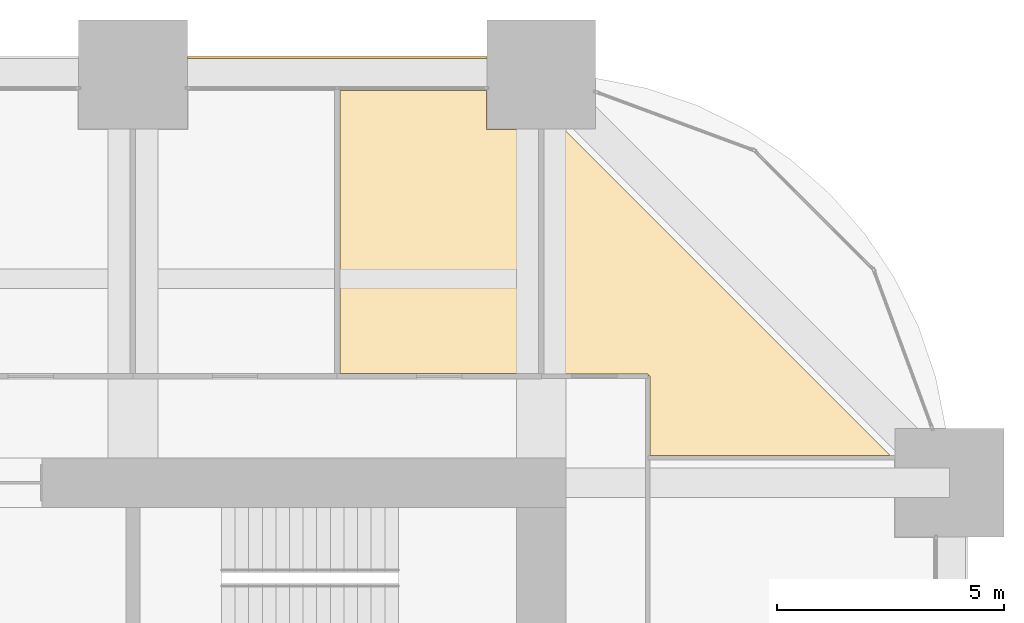
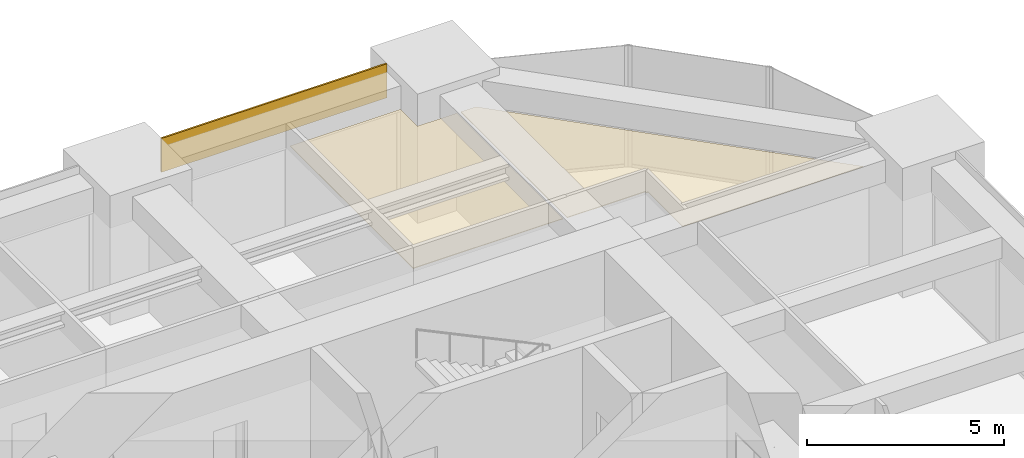
# One storey, part 34 of 34: 3 coverings.
"""IFC4 building model written with IfcOpenShell, lengths in metres."""

import ifcopenshell
import ifcopenshell.guid

model = None  # the IFC model being written
_history = None  # IfcOwnerHistory: only IFC2X3 demands one
_inside = {}  # id of a spatial element -> (the spatial element, [elements in it])
_under = {}  # id of a project, library or spatial element -> (it, [spatial elements below it])
_declared = {}  # id of a project -> (the project, [libraries it declares])
_typed = {}  # id of a type object -> (the type object, [elements of that type])
_made_of = {}  # id of a material, layer set ... -> (it, [elements and type objects made of it])


def new_model(schema):
    """Start an empty IFC model of exactly this schema.

    Asked for "IFC4X3", IfcOpenShell would pick the latest addendum, in which some entities
    have other attributes; the version numbers below select the first issue.
    IFC2X3 requires an IfcOwnerHistory on every rooted entity: one is made here for all.
    """
    global model, _history
    if schema == "IFC4X3":
        model = ifcopenshell.file(schema_version=(4, 3, 0, 0))
    else:
        model = ifcopenshell.file(schema=schema)
    _inside.clear()
    _under.clear()
    _declared.clear()
    _typed.clear()
    _made_of.clear()
    _history = None
    if model.schema == "IFC2X3":
        org = make("IfcOrganization", Name="unknown")
        user = make(
            "IfcPersonAndOrganization",
            ThePerson=make("IfcPerson", FamilyName="unknown"),
            TheOrganization=org,
        )
        app = make(
            "IfcApplication",
            ApplicationDeveloper=org,
            Version="unknown",
            ApplicationFullName="unknown",
            ApplicationIdentifier="unknown",
        )
        _history = make(
            "IfcOwnerHistory",
            OwningUser=user,
            OwningApplication=app,
            ChangeAction="ADDED",
            CreationDate=0,
        )
    return model


def make(cls, **values):
    """One entity of the class cls with the attributes given. An attribute that is None is left unset."""
    return model.create_entity(
        cls, **{name: value for name, value in values.items() if value is not None}
    )


def rooted(cls, **values):
    """An entity with a GlobalId (a new one), such as an element, a storey or a relation."""
    return make(cls, GlobalId=ifcopenshell.guid.new(), OwnerHistory=_history, **values)


def si_unit(unit_type, name, prefix=None):
    """IfcSIUnit, for example si_unit("LENGTHUNIT", "METRE", prefix="MILLI")."""
    return make("IfcSIUnit", UnitType=unit_type, Prefix=prefix, Name=name)


def assignment(units):
    """IfcUnitAssignment: the units of a project."""
    return None if units is None else make("IfcUnitAssignment", Units=units)


def point(xyz):
    """IfcCartesianPoint."""
    return None if xyz is None else make("IfcCartesianPoint", Coordinates=xyz)


def direction(xyz):
    """IfcDirection."""
    return None if xyz is None else make("IfcDirection", DirectionRatios=xyz)


def frame(location, z_axis=None, x_axis=None):
    """IfcAxis2Placement3D, a coordinate frame: its origin and axes. An axis left out is left unset."""
    return make(
        "IfcAxis2Placement3D",
        Location=point(location),
        Axis=direction(z_axis),
        RefDirection=direction(x_axis),
    )


def frame_2d(location, x_axis=None):
    """IfcAxis2Placement2D, a coordinate frame in the plane: its origin and x axis."""
    return make(
        "IfcAxis2Placement2D", Location=point(location), RefDirection=direction(x_axis)
    )


def origin():
    """The frame at (0, 0, 0) with its axes left unset."""
    return frame((0.0, 0.0, 0.0))


def place(relative_to, where):
    """IfcLocalPlacement: puts the frame where relative to a parent placement (None: the world)."""
    return make(
        "IfcLocalPlacement", PlacementRelTo=relative_to, RelativePlacement=where
    )


def context(
    kind, dimensions, precision=None, world=None, true_north=None, identifier=None
):
    """IfcGeometricRepresentationContext, for example the 3D "Model" context."""
    return make(
        "IfcGeometricRepresentationContext",
        ContextIdentifier=identifier,
        ContextType=kind,
        CoordinateSpaceDimension=dimensions,
        Precision=precision,
        WorldCoordinateSystem=world,
        TrueNorth=true_north,
    )


def subcontext(parent, identifier, kind, view, scale=None):
    """IfcGeometricRepresentationSubContext, for example "Body" below "Model"."""
    return make(
        "IfcGeometricRepresentationSubContext",
        ContextIdentifier=identifier,
        ContextType=kind,
        ParentContext=parent,
        TargetScale=scale,
        TargetView=view,
    )


def project(units=None, contexts=None):
    """IfcProject with its units and contexts."""
    return rooted(
        "IfcProject",
        Name="project",
        RepresentationContexts=contexts,
        UnitsInContext=assignment(units),
    )


def spatial(cls, under=None, at=None, **own):
    """A site, building, storey or space (cls), placed at a placement, below another one or the project."""
    s = rooted(cls, ObjectPlacement=at, **own)
    if under is not None:
        _under.setdefault(under.id(), (under, []))[1].append(s)
    return s


def polyline(points):
    """IfcPolyline through the points."""
    return make("IfcPolyline", Points=[point(p) for p in points])


def profile(cls, at=None, kind="AREA", **sizes):
    """A parametric profile (cls). Its sizes go by their IFC names, for example OverallWidth=200.0."""
    return make(cls, ProfileType=kind, Position=at, **sizes)


def rectangle(**sizes):
    """IfcRectangleProfileDef."""
    return profile("IfcRectangleProfileDef", **sizes)


def outline(outer, holes=None, kind="AREA"):
    """IfcArbitraryClosedProfileDef: a profile drawn as a closed curve; with holes, ...WithVoids."""
    if holes is None:
        return make("IfcArbitraryClosedProfileDef", ProfileType=kind, OuterCurve=outer)
    return make(
        "IfcArbitraryProfileDefWithVoids",
        ProfileType=kind,
        OuterCurve=outer,
        InnerCurves=holes,
    )


def extrude(swept, where, along, depth):
    """IfcExtrudedAreaSolid: the profile swept, set in the frame where, extruded along a direction by depth."""
    return make(
        "IfcExtrudedAreaSolid",
        SweptArea=swept,
        Position=where,
        ExtrudedDirection=direction(along),
        Depth=depth,
    )


def shape(context_of_items, identifier, shape_type, items):
    """IfcShapeRepresentation: the items that make up one representation, for example the "Body"."""
    return make(
        "IfcShapeRepresentation",
        ContextOfItems=context_of_items,
        RepresentationIdentifier=identifier,
        RepresentationType=shape_type,
        Items=items,
    )


def material(Name=None, Category=None):
    """IfcMaterial."""
    return make("IfcMaterial", Name=Name, Category=Category)


def layer(
    of_material, thickness, ventilated=None, Name=None, Category=None, Priority=None
):
    """IfcMaterialLayer: one layer of a wall or slab, of a material (None: an air gap)."""
    return make(
        "IfcMaterialLayer",
        Material=of_material,
        LayerThickness=thickness,
        IsVentilated=ventilated,
        Name=Name,
        Category=Category,
        Priority=Priority,
    )


def layer_set(layers, Name=None):
    """IfcMaterialLayerSet."""
    return make("IfcMaterialLayerSet", MaterialLayers=layers, LayerSetName=Name)


def made_of(thing, what):
    """Note that an element or type object is made of a material, layer set ...; save() writes the relation."""
    if what is not None:
        _made_of.setdefault(what.id(), (what, []))[1].append(thing)
    return thing


def type_object(cls, material=None, **own):
    """A type object (cls), such as IfcWallType, which elements share."""
    return made_of(rooted(cls, **own), material)


def element(
    cls,
    number,
    at=None,
    inside=None,
    cuts=None,
    type_object=None,
    material=None,
    context=None,
    identifier="Body",
    shape_type=None,
    held_by="IfcProductDefinitionShape",
    body=None,
    shapes=None,
    **own,
):
    """One element of the class cls, such as IfcWall. Its Tag is "e" and its number.

    at: its placement. inside: the storey or other place that contains it. cuts: it is an
    opening in that element (IfcRelVoidsElement). A single representation is given by context,
    identifier, shape_type and body (its items); several are given by shapes. held_by: the class
    of the entity that holds the representations. save() writes the other relations.
    """
    e = rooted(cls, Tag="e%d" % number, ObjectPlacement=at, **own)
    if body is not None:
        shapes = [shape(context, identifier, shape_type, body)]
    if shapes is not None:
        e.Representation = make(held_by, Representations=shapes)
    if inside is not None:
        _inside.setdefault(inside.id(), (inside, []))[1].append(e)
    if cuts is not None:
        rooted(
            "IfcRelVoidsElement", RelatingBuildingElement=cuts, RelatedOpeningElement=e
        )
    if type_object is not None:
        _typed.setdefault(type_object.id(), (type_object, []))[1].append(e)
    return made_of(e, material)


def aggregate(whole, parts):
    """IfcRelAggregates: a whole, such as a stair, and the parts it consists of."""
    return rooted("IfcRelAggregates", RelatingObject=whole, RelatedObjects=parts)


def save(model, path):
    """Write the relations noted so far, then the file.

    IfcRelAggregates (storeys below a building ...), IfcRelContainedInSpatialStructure (elements
    in a storey), IfcRelDefinesByType, IfcRelAssociatesMaterial and IfcRelDeclares: one each for
    every whole, place, type object, material and project.
    """
    for whole, parts in _under.values():
        aggregate(whole, parts)
    for where, things in _inside.values():
        rooted(
            "IfcRelContainedInSpatialStructure",
            RelatedElements=things,
            RelatingStructure=where,
        )
    for kind, things in _typed.values():
        rooted("IfcRelDefinesByType", RelatedObjects=things, RelatingType=kind)
    for what, things in _made_of.values():
        rooted("IfcRelAssociatesMaterial", RelatedObjects=things, RelatingMaterial=what)
    for by, libraries in _declared.values():
        rooted("IfcRelDeclares", RelatingContext=by, RelatedDefinitions=libraries)
    model.write(path)


model = new_model("IFC4")

# Units and contexts
model_context = context("Model", 3, precision=1e-05, world=origin(), true_north=direction((0.0, 1.0)))
body_context = subcontext(model_context, "Body", "Model", "MODEL_VIEW")
ifc_project = project(units=[si_unit("LENGTHUNIT", "METRE"), si_unit("AREAUNIT", "SQUARE_METRE"), si_unit("VOLUMEUNIT", "CUBIC_METRE"), si_unit("PLANEANGLEUNIT", "RADIAN"), si_unit("MASSUNIT", "GRAM", prefix="KILO")], contexts=[model_context])

# Site, building, storey
site_placement = place(None, origin())
site = spatial("IfcSite", under=ifc_project, at=site_placement, CompositionType="ELEMENT")
building_placement = place(site_placement, origin())
building = spatial("IfcBuilding", under=site, at=building_placement, Name="Zorevar Civic Tower", CompositionType="ELEMENT")
storey_placement = place(building_placement, frame((0.0, 0.0, 170.199951171875)))
storey = spatial("IfcBuildingStorey", under=building, at=storey_placement, Name="L41", CompositionType="ELEMENT", Elevation=170.199951171875)

# Coverings
ifc_material_1 = material(Name="Black anodised aluminium spandrel panel", Category="aluminium")
ifc_layer_1 = layer(ifc_material_1, 0.050048828125)
ifc_layer_set_1 = layer_set([ifc_layer_1], Name="Spandrel cladding SP1")
covering_type_1 = type_object("IfcCoveringType", Name="Spandrel cladding SP1", PredefinedType="CLADDING", material=ifc_layer_set_1)
covering_1_placement = place(storey_placement, frame((37.199951171875, 45.375, 2.949951171875), z_axis=(0.0, 0.0, 1.0), x_axis=(1.0, 0.0, 0.0)))
element("IfcCovering", 1, at=covering_1_placement, inside=storey, type_object=covering_type_1, Name="Spandrel cladding L42", PredefinedType="CLADDING", context=body_context, shape_type="SweptSolid", body=[
    extrude(rectangle(XDim=6.60009765625, YDim=0.050048828125, at=frame_2d((3.300048828125, 0.0))), origin(), (0.0, 0.0, 1.0), 1.050048828125),
])
ifc_material_2 = material(Name="Mineral fibre tiles on a concealed grid")
ifc_layer_2 = layer(ifc_material_2, 0.02001953125)
ifc_layer_set_2 = layer_set([ifc_layer_2], Name="Suspended ceiling SC1")
covering_type_2 = type_object("IfcCoveringType", Name="Suspended ceiling SC1", PredefinedType="CEILING", material=ifc_layer_set_2)
covering_2_placement = place(storey_placement, frame((0.0, 0.0, 3.0)))
element("IfcCovering", 2, at=covering_2_placement, inside=storey, type_object=covering_type_2, Name="Ceiling L41-32", PredefinedType="CEILING", context=body_context, shape_type="SweptSolid", body=[
    extrude(outline(polyline([(40.56005859375, 38.409912109375), (40.56005859375, 44.64990234375), (43.7900390625, 44.64990234375), (43.7900390625, 43.7900390625), (44.93994140625, 43.7900390625), (44.93994140625, 38.409912109375), (40.56005859375, 38.409912109375)])), origin(), (0.0, 0.0, 1.0), 0.02001953125),
])
covering_3_placement = place(storey_placement, frame((0.0, 0.0, 3.0)))
element("IfcCovering", 3, at=covering_3_placement, inside=storey, type_object=covering_type_2, Name="Ceiling L41-44", PredefinedType="CEILING", context=body_context, shape_type="SweptSolid", body=[
    extrude(outline(polyline([(47.39990234375, 36.60009765625), (47.39990234375, 38.35009765625), (47.35009765625, 38.35009765625), (47.35009765625, 38.39990234375), (45.06005859375, 38.39990234375), (45.06005859375, 43.7900390625), (45.5029296875, 43.7900390625), (52.69287109375, 36.60009765625), (47.39990234375, 36.60009765625)])), origin(), (0.0, 0.0, 1.0), 0.02001953125),
])

save(model, "model.ifc")
